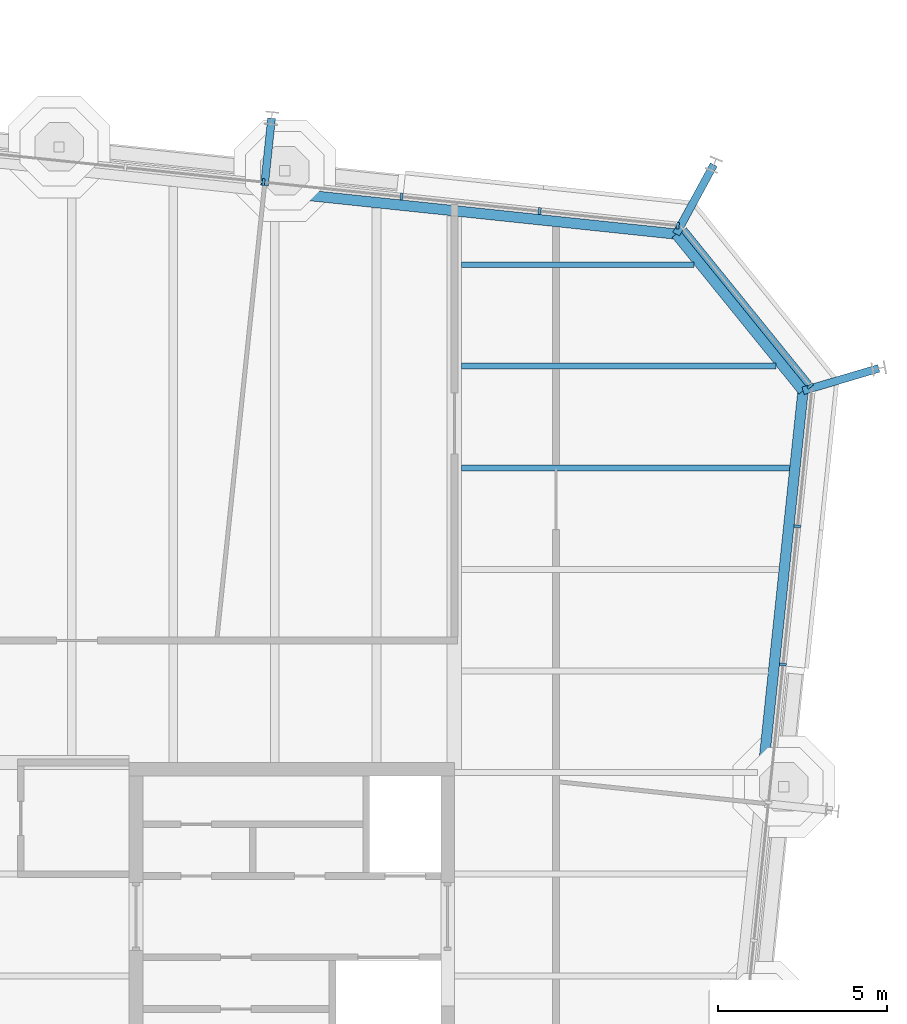
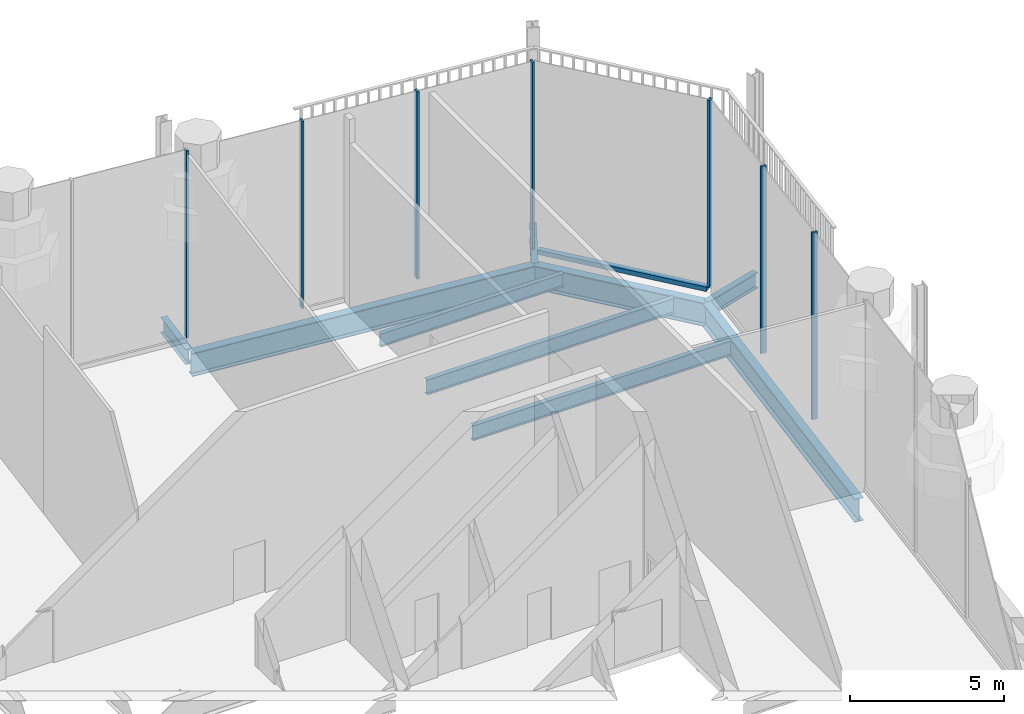
# One storey, part 8 of 17: 9 beams, 8 members, 3 elements without a shape of their own.
"""IFC4 building model written with IfcOpenShell, lengths in metres."""

from ifc_helpers import new_model, si_unit, direction, frame, origin, origin_2d, place, context, subcontext, project, spatial, rectangle, i_section, extrude, material, layer, layer_set, material_profile, profile_set, type_object, element, aggregate, save


model = new_model("IFC4")

# Units and contexts
model_context = context("Model", 3, precision=1e-05, world=origin(), true_north=direction((0.0, 1.0)))
body_context = subcontext(model_context, "Body", "Model", "MODEL_VIEW")
ifc_project = project(units=[si_unit("LENGTHUNIT", "METRE"), si_unit("AREAUNIT", "SQUARE_METRE"), si_unit("VOLUMEUNIT", "CUBIC_METRE"), si_unit("PLANEANGLEUNIT", "RADIAN"), si_unit("MASSUNIT", "GRAM", prefix="KILO")], contexts=[model_context])

# Site, building, storey
site_placement = place(None, origin())
site = spatial("IfcSite", under=ifc_project, at=site_placement, CompositionType="ELEMENT")
building_placement = place(site_placement, origin())
building = spatial("IfcBuilding", under=site, at=building_placement, Name="Millrace Tower", CompositionType="ELEMENT")
storey_placement = place(building_placement, frame((0.0, 0.0, 311.10009765625)))
storey = spatial("IfcBuildingStorey", under=building, at=storey_placement, Name="L72", CompositionType="ELEMENT", Elevation=311.10009765625)

# Curtain wall, members
ifc_material_1 = material(Name="Aluminium and glass", Category="aluminium")
ifc_layer = layer(ifc_material_1, 0.199951171875)
ifc_layer_set = layer_set([ifc_layer], Name="Aluminium and glass")
curtain_wall_type = type_object("IfcCurtainWallType", Name="CW-4 sky garden winter glazing", PredefinedType="NOTDEFINED", material=ifc_layer_set)
placement = place(storey_placement, origin())
curtain_wall_1 = element("IfcCurtainWall", 1, at=placement, inside=storey, type_object=curtain_wall_type, Name="Curtain wall E-F04 L72", PredefinedType="NOTDEFINED")
ifc_material_2 = material(Name="Aluminium", Category="aluminium")
ifc_material_profile_1 = material_profile(ifc_material_2, rectangle(XDim=0.080078125, YDim=0.199951171875, at=origin_2d()))
ifc_profile_set_1 = profile_set([ifc_material_profile_1], Name="Aluminium")
member_type_1 = type_object("IfcMemberType", Name="CW-4 sky garden winter glazing mullion", PredefinedType="MULLION", material=ifc_profile_set_1)
member_1_placement = place(storey_placement, frame((24.00048828125, 12.195068359375, 0.179931640625), z_axis=(0.0, 0.0, 1.0), x_axis=(0.104528455196, 0.994521896217, 0.0)))
member_1 = element("IfcMember", 2, at=member_1_placement, type_object=member_type_1, Name="CW4 mullion E-F04.8", PredefinedType="MULLION", context=body_context, shape_type="SweptSolid", body=[
    extrude(rectangle(XDim=0.080078125, YDim=0.199951171875, at=origin_2d()), origin(), (0.0, 0.0, 1.0), 7.419921875),
])
member_2_placement = place(storey_placement, frame((24.428955078125, 16.272705078125, 0.179931640625), z_axis=(0.0, 0.0, 1.0), x_axis=(0.104528455196, 0.994521896217, 0.0)))
member_2 = element("IfcMember", 3, at=member_2_placement, type_object=member_type_1, Name="CW4 mullion E-F04.9", PredefinedType="MULLION", context=body_context, shape_type="SweptSolid", body=[
    extrude(rectangle(XDim=0.080078125, YDim=0.199951171875, at=origin_2d()), origin(), (0.0, 0.0, 1.0), 7.419921875),
])
aggregate(curtain_wall_1, [member_1, member_2])

# Curtain wall, member
curtain_wall_2 = element("IfcCurtainWall", 4, at=placement, inside=storey, type_object=curtain_wall_type, Name="Curtain wall E-F05 L72", PredefinedType="NOTDEFINED")
member_3_placement = place(storey_placement, frame((24.806396484375, 20.4150390625, 0.179931640625), z_axis=(0.0, 0.0, 1.0), x_axis=(-0.629320278945, 0.777146052237, 0.0)))
member_3 = element("IfcMember", 5, at=member_3_placement, type_object=member_type_1, Name="CW4 mullion E-F05.1", PredefinedType="MULLION", context=body_context, shape_type="SweptSolid", body=[
    extrude(rectangle(XDim=0.080078125, YDim=0.199951171875, at=origin_2d()), origin(), (0.0, 0.0, 1.0), 7.419921875),
])

# Curtain wall, members
curtain_wall_3 = element("IfcCurtainWall", 6, at=placement, inside=storey, type_object=curtain_wall_type, Name="Curtain wall E-F06 L72", PredefinedType="NOTDEFINED")
member_4_placement = place(storey_placement, frame((20.897705078125, 25.150390625, 0.179931640625), z_axis=(0.0, 0.0, 1.0), x_axis=(-0.994521896217, 0.104528455196, 0.0)))
member_4 = element("IfcMember", 7, at=member_4_placement, type_object=member_type_1, Name="CW4 mullion E-F06.1", PredefinedType="MULLION", context=body_context, shape_type="SweptSolid", body=[
    extrude(rectangle(XDim=0.080078125, YDim=0.199951171875, at=origin_2d()), origin(), (0.0, 0.0, 1.0), 7.419921875),
])
member_5_placement = place(storey_placement, frame((16.820068359375, 25.5791015625, 0.179931640625), z_axis=(0.0, 0.0, 1.0), x_axis=(-0.994521896217, 0.104528455196, 0.0)))
member_5 = element("IfcMember", 8, at=member_5_placement, type_object=member_type_1, Name="CW4 mullion E-F06.2", PredefinedType="MULLION", context=body_context, shape_type="SweptSolid", body=[
    extrude(rectangle(XDim=0.080078125, YDim=0.199951171875, at=origin_2d()), origin(), (0.0, 0.0, 1.0), 7.419921875),
])
member_6_placement = place(storey_placement, frame((12.742431640625, 26.007568359375, 0.179931640625), z_axis=(0.0, 0.0, 1.0), x_axis=(-0.994521896217, 0.104528455196, 0.0)))
member_6 = element("IfcMember", 9, at=member_6_placement, type_object=member_type_1, Name="CW4 mullion E-F06.3", PredefinedType="MULLION", context=body_context, shape_type="SweptSolid", body=[
    extrude(rectangle(XDim=0.080078125, YDim=0.199951171875, at=origin_2d()), origin(), (0.0, 0.0, 1.0), 7.419921875),
])
member_7_placement = place(storey_placement, frame((8.6650390625, 26.43603515625, 0.179931640625), z_axis=(0.0, 0.0, 1.0), x_axis=(-0.994521896217, 0.104528455196, 0.0)))
member_7 = element("IfcMember", 10, at=member_7_placement, type_object=member_type_1, Name="CW4 mullion E-F06.4", PredefinedType="MULLION", context=body_context, shape_type="SweptSolid", body=[
    extrude(rectangle(XDim=0.080078125, YDim=0.199951171875, at=origin_2d()), origin(), (0.0, 0.0, 1.0), 7.419921875),
])
aggregate(curtain_wall_3, [member_4, member_5, member_6, member_7])

# Member
ifc_material_3 = material(Name="Aluminium", Category="aluminium")
ifc_material_profile_2 = material_profile(ifc_material_3, rectangle(XDim=0.199951171875, YDim=0.179931640625, at=origin_2d()))
ifc_profile_set_2 = profile_set([ifc_material_profile_2], Name="Aluminium")
member_type_2 = type_object("IfcMemberType", Name="CW-4 sky garden winter glazing transom", PredefinedType="USERDEFINED", material=ifc_profile_set_2)
member_8_placement = place(storey_placement, frame((24.768798828125, 20.461669921875, 0.08984375), z_axis=(-0.629341524136, 0.777128847746, 0.0), x_axis=(-0.777128847746, -0.629341524136, 0.0)))
member_8 = element("IfcMember", 11, at=member_8_placement, type_object=member_type_2, Name="CW4 transom E-F05.1", ObjectType="TRANSOM", PredefinedType="USERDEFINED", context=body_context, shape_type="SweptSolid", body=[
    extrude(rectangle(XDim=0.199951171875, YDim=0.179931640625, at=origin_2d()), origin(), (0.0, 0.0, 1.0), 5.881103515625),
])

aggregate(curtain_wall_2, [member_3, member_8])

# Beams
ifc_material_4 = material(Name="Steel ASTM A992 Grade 50", Category="steel")
ifc_material_profile_3 = material_profile(ifc_material_4, i_section(OverallWidth=0.1650390625, OverallDepth=0.52587890625, WebThickness=0.0087890625, FlangeThickness=0.011474609375, FilletRadius=0.0126953125, at=origin_2d()))
ifc_profile_set_3 = profile_set([ifc_material_profile_3], Name="Steel ASTM A992 Grade 50")
beam_type_1 = type_object("IfcBeamType", Name="Floor beam W21x44", PredefinedType="JOIST", material=ifc_profile_set_3)
beam_1_placement = place(storey_placement, frame((14.509521484375, 24.0, -0.512939453125), z_axis=(1.0, 0.0, 0.0), x_axis=(0.0, 1.0, 0.0)))
element("IfcBeam", 12, at=beam_1_placement, inside=storey, type_object=beam_type_1, Name="BM-E-L72-S1-S034", PredefinedType="JOIST", context=body_context, shape_type="SweptSolid", body=[
    extrude(i_section(OverallWidth=0.1650390625, OverallDepth=0.52587890625, WebThickness=0.0087890625, FlangeThickness=0.011474609375, FilletRadius=0.0126953125, at=origin_2d()), origin(), (0.0, 0.0, 1.0), 6.861572265625),
])
ifc_material_5 = material(Name="Steel ASTM A992 Grade 50", Category="steel")
ifc_material_profile_4 = material_profile(ifc_material_5, i_section(OverallWidth=0.177978515625, OverallDepth=0.599365234375, WebThickness=0.010009765625, FlangeThickness=0.012939453125, FilletRadius=0.012939453125, at=origin_2d()))
ifc_profile_set_4 = profile_set([ifc_material_profile_4], Name="Steel ASTM A992 Grade 50")
beam_type_2 = type_object("IfcBeamType", Name="Floor beam W24x55", PredefinedType="JOIST", material=ifc_profile_set_4)
beam_2_placement = place(storey_placement, frame((14.509521484375, 18.0, -0.5498046875), z_axis=(1.0, 0.0, 0.0), x_axis=(0.0, 1.0, 0.0)))
element("IfcBeam", 13, at=beam_2_placement, inside=storey, type_object=beam_type_2, Name="BM-E-L72-S1-S030", PredefinedType="JOIST", context=body_context, shape_type="SweptSolid", body=[
    extrude(i_section(OverallWidth=0.177978515625, OverallDepth=0.599365234375, WebThickness=0.010009765625, FlangeThickness=0.012939453125, FilletRadius=0.012939453125, at=origin_2d()), origin(), (0.0, 0.0, 1.0), 9.69140625),
])
beam_3_placement = place(storey_placement, frame((14.509521484375, 21.0, -0.5498046875), z_axis=(1.0, 0.0, 0.0), x_axis=(0.0, 1.0, 0.0)))
element("IfcBeam", 14, at=beam_3_placement, inside=storey, type_object=beam_type_2, Name="BM-E-L72-S1-S032", PredefinedType="JOIST", context=body_context, shape_type="SweptSolid", body=[
    extrude(i_section(OverallWidth=0.177978515625, OverallDepth=0.599365234375, WebThickness=0.010009765625, FlangeThickness=0.012939453125, FilletRadius=0.012939453125, at=origin_2d()), origin(), (0.0, 0.0, 1.0), 9.282958984375),
])
ifc_material_6 = material(Name="Steel ASTM A992 Grade 50", Category="steel")
ifc_material_profile_5 = material_profile(ifc_material_6, i_section(OverallWidth=0.23046875, OverallDepth=0.6171875, WebThickness=0.01318359375, FlangeThickness=0.022216796875, FilletRadius=0.012939453125, at=origin_2d()))
ifc_profile_set_5 = profile_set([ifc_material_profile_5], Name="Steel ASTM A992 Grade 50")
beam_type_3 = type_object("IfcBeamType", Name="Link beam W24x94", PredefinedType="BEAM", material=ifc_profile_set_5)
beam_4_placement = place(storey_placement, frame((8.6943359375, 26.33251953125, -0.55859375), z_axis=(0.104494148666, 0.99452550138, 0.0), x_axis=(-0.99452550138, 0.104494148666, 0.0)))
element("IfcBeam", 15, at=beam_4_placement, inside=storey, type_object=beam_type_3, Name="LNK-E-L72-S1-07", PredefinedType="BEAM", context=body_context, shape_type="SweptSolid", body=[
    extrude(i_section(OverallWidth=0.23046875, OverallDepth=0.6171875, WebThickness=0.01318359375, FlangeThickness=0.022216796875, FilletRadius=0.012939453125, at=origin_2d()), origin(), (0.0, 0.0, 1.0), 2.0),
])
for number, where, z_axis, x_axis, name in (
    (16, (20.84765625, 24.900634765625, -0.55859375), (0.477163510307, 0.87881453358, 0.0), (-0.87881453358, 0.477163510307, 0.0), "LNK-E-L72-S1-08"),
    (17, (24.594482421875, 20.273681640625, -0.55859375), (0.958815015936, 0.284031275065, 0.0), (-0.284031275065, 0.958815015936, 0.0), "LNK-E-L72-S1-09"),
):
    element("IfcBeam", number, at=place(storey_placement, frame(where, z_axis=z_axis, x_axis=x_axis)), inside=storey, type_object=beam_type_3, Name=name, PredefinedType="BEAM", context=body_context, shape_type="SweptSolid", body=[
        extrude(i_section(OverallWidth=0.23046875, OverallDepth=0.6171875, WebThickness=0.01318359375, FlangeThickness=0.022216796875, FilletRadius=0.012939453125, at=origin_2d()), origin(), (0.0, 0.0, 1.0), 2.3310546875),
    ])
ifc_material_7 = material(Name="Steel ASTM A992 Grade 50", Category="steel")
ifc_material_profile_6 = material_profile(ifc_material_7, i_section(OverallWidth=0.307373046875, OverallDepth=0.927001953125, WebThickness=0.01953125, FlangeThickness=0.031982421875, FilletRadius=0.01904296875, at=origin_2d()))
ifc_profile_set_6 = profile_set([ifc_material_profile_6], Name="Steel ASTM A992 Grade 50")
beam_type_4 = type_object("IfcBeamType", Name="Ring beam medium span W36x194", PredefinedType="SPANDREL", material=ifc_profile_set_6)
for number, where, z_axis, x_axis, name in (
    (18, (8.67822265625, 26.1796875, -0.713623046875), (0.994521948696, -0.104527955888, 0.0), (0.104527955888, 0.994521948696, 0.0), "RNG-E-L72-S1-07"),
    (19, (24.594482421875, 20.273681640625, -0.713623046875), (-0.104527955888, -0.994521948696, 0.0), (0.994521948696, -0.104527955888, 0.0), "RNG-E-L72-S1-09"),
):
    element("IfcBeam", number, at=place(storey_placement, frame(where, z_axis=z_axis, x_axis=x_axis)), inside=storey, type_object=beam_type_4, Name=name, PredefinedType="SPANDREL", context=body_context, shape_type="SweptSolid", body=[
        extrude(i_section(OverallWidth=0.307373046875, OverallDepth=0.927001953125, WebThickness=0.01953125, FlangeThickness=0.031982421875, FilletRadius=0.01904296875, at=origin_2d()), origin(), (0.0, 0.0, 1.0), 12.236572265625),
    ])
ifc_material_8 = material(Name="Steel ASTM A992 Grade 50", Category="steel")
ifc_material_profile_7 = material_profile(ifc_material_8, i_section(OverallWidth=0.307373046875, OverallDepth=0.927001953125, WebThickness=0.01953125, FlangeThickness=0.031982421875, FilletRadius=0.01904296875, at=origin_2d()))
ifc_profile_set_7 = profile_set([ifc_material_profile_7], Name="Steel ASTM A992 Grade 50")
beam_type_5 = type_object("IfcBeamType", Name="Ring beam short span W36x194", PredefinedType="SPANDREL", material=ifc_profile_set_7)
beam_5_placement = place(storey_placement, frame((20.84765625, 24.900634765625, -0.713623046875), z_axis=(0.629319722443, -0.777146502883, 0.0), x_axis=(0.777146502883, 0.629319722443, 0.0)))
element("IfcBeam", 20, at=beam_5_placement, inside=storey, type_object=beam_type_5, Name="RNG-E-L72-S1-08", PredefinedType="SPANDREL", context=body_context, shape_type="SweptSolid", body=[
    extrude(i_section(OverallWidth=0.307373046875, OverallDepth=0.927001953125, WebThickness=0.01953125, FlangeThickness=0.031982421875, FilletRadius=0.01904296875, at=origin_2d()), origin(), (0.0, 0.0, 1.0), 5.953857421875),
])

save(model, "model.ifc")
